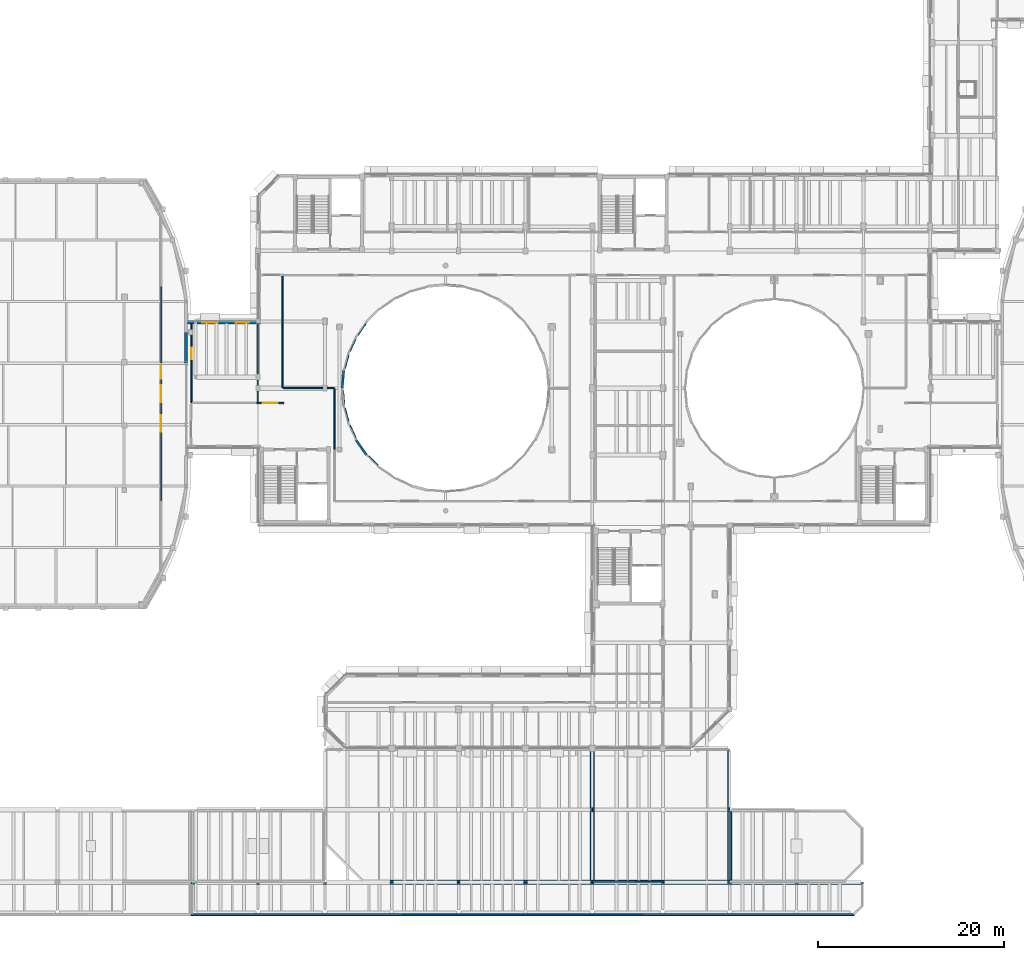
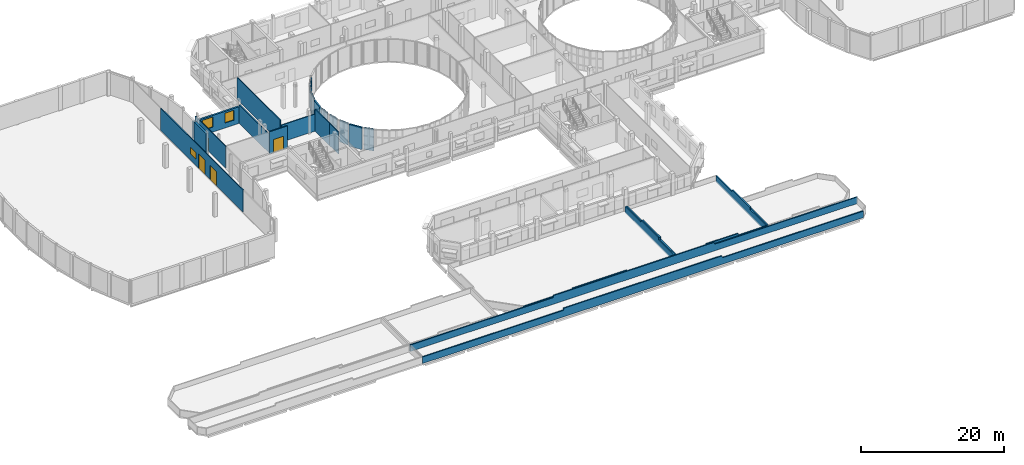
# One storey, part 76 of 105: 27 walls, 4 doors, 3 windows, 7 openings.
"""IFC4 building model written with IfcOpenShell, lengths in metres."""

from ifc_helpers import new_model, si_unit, direction, frame, frame_2d, origin, place, context, subcontext, project, spatial, polyline, rectangle, outline, extrude, material, layer, layer_set, type_object, element, fill, save


model = new_model("IFC4")

# Units and contexts
model_context = context("Model", 3, precision=1e-05, world=origin(), true_north=direction((0.0, 1.0)))
body_context = subcontext(model_context, "Body", "Model", "MODEL_VIEW")
ifc_project = project(units=[si_unit("LENGTHUNIT", "METRE"), si_unit("AREAUNIT", "SQUARE_METRE"), si_unit("VOLUMEUNIT", "CUBIC_METRE"), si_unit("PLANEANGLEUNIT", "RADIAN"), si_unit("MASSUNIT", "GRAM", prefix="KILO")], contexts=[model_context])

# Site, building, storey
site_placement = place(None, origin())
site = spatial("IfcSite", under=ifc_project, at=site_placement, CompositionType="ELEMENT")
building_placement = place(site_placement, origin())
building = spatial("IfcBuilding", under=site, at=building_placement, Name="Kelanivale Promenade Academy", CompositionType="ELEMENT")
storey_placement = place(building_placement, frame((0.0, 0.0, 4.199951171875)))
storey = spatial("IfcBuildingStorey", under=building, at=storey_placement, Name="L01", CompositionType="ELEMENT", Elevation=4.199951171875)

# Wall
ifc_material_1 = material(Name="Insulated terracotta-clad masonry wall 300 mm", Category="masonry")
ifc_layer_1 = layer(ifc_material_1, 0.300048828125)
ifc_layer_set_1 = layer_set([ifc_layer_1], Name="Insulated terracotta-clad masonry wall 300 mm")
wall_type_1 = type_object("IfcWallType", Name="EW-01 Wall 300mm", PredefinedType="SOLIDWALL", material=ifc_layer_set_1)
wall_1_placement = place(storey_placement, frame((35.449951171875, 59.513916015625, 0.0), z_axis=(0.0, 0.0, 1.0), x_axis=(0.0, 1.0, 0.0)))
element("IfcWall", 1, at=wall_1_placement, inside=storey, type_object=wall_type_1, Name="Sports Hall Crescent Pavilion inner crescent wall L01", PredefinedType="SOLIDWALL", context=body_context, shape_type="SweptSolid", body=[
    extrude(rectangle(XDim=3.315185546875, YDim=0.300048828125, at=frame_2d((1.65771484375, 0.0))), origin(), (0.0, 0.0, 1.0), 3.47998046875),
])

# Wall, openings, windows
ifc_material_2 = material(Name="Insulated ivory stucco masonry wall 280 mm", Category="masonry")
ifc_layer_2 = layer(ifc_material_2, 0.280029296875)
ifc_layer_set_2 = layer_set([ifc_layer_2], Name="Insulated ivory stucco masonry wall 280 mm")
wall_type_2 = type_object("IfcWallType", Name="EW-02 Wall 280mm", PredefinedType="SOLIDWALL", material=ifc_layer_set_2)
wall_2_placement = place(storey_placement, frame((43.47998046875, 63.860107421875, 0.0), z_axis=(0.0, 0.0, 1.0), x_axis=(-1.0, 0.0, 0.0)))
wall_2 = element("IfcWall", 2, at=wall_2_placement, inside=storey, type_object=wall_type_2, Name="L01 exterior facade wall EW-L01-ORT-0387", PredefinedType="SOLIDWALL", context=body_context, shape_type="SweptSolid", body=[
    extrude(rectangle(XDim=7.8798828125, YDim=0.280029296875, at=frame_2d((3.93994140625, 0.0))), origin(), (0.0, 0.0, 1.0), 2.860107421875),
])
opening_1_placement = place(wall_2_placement, frame((1.2451171875, 0.0, 0.85009765625)))
opening_1 = element("IfcOpeningElement", 3, at=opening_1_placement, cuts=wall_2, Name="Opening WT-24", PredefinedType="OPENING", context=body_context, shape_type="SweptSolid", body=[
    extrude(rectangle(XDim=1.449951171875, YDim=1.699951171875, at=frame_2d((0.72509765625, 0.85009765625))), frame((0.0, 0.14990234375, 0.0), z_axis=(0.0, -1.0, 0.0), x_axis=(1.0, 0.0, 0.0)), (0.0, 0.0, 1.0), 0.300048828125),
])
opening_2_placement = place(wall_2_placement, frame((4.610107421875, 0.0, 0.85009765625)))
opening_2 = element("IfcOpeningElement", 4, at=opening_2_placement, cuts=wall_2, Name="Opening WT-25", PredefinedType="OPENING", context=body_context, shape_type="SweptSolid", body=[
    extrude(rectangle(XDim=1.699951171875, YDim=1.75, at=frame_2d((0.85009765625, 0.875))), frame((0.0, 0.14990234375, 0.0), z_axis=(0.0, -1.0, 0.0), x_axis=(1.0, 0.0, 0.0)), (0.0, 0.0, 1.0), 0.300048828125),
])
ifc_material_3 = material(Name="Bronze anodised aluminium frame with low-E laminated glass", Category="aluminium")
window_type_1 = type_object("IfcWindowType", Name="WT-24 Window 1450x1700", PartitioningType="SINGLE_PANEL", PredefinedType="WINDOW", material=ifc_material_3)
window_1_placement = place(opening_1_placement, origin())
window_1 = element("IfcWindow", 5, at=window_1_placement, inside=storey, type_object=window_type_1, Name="Window WT-24", OverallHeight=1.699951171875, OverallWidth=1.449951171875, PartitioningType="SINGLE_PANEL", PredefinedType="WINDOW", context=body_context, shape_type="SweptSolid", body=[
    extrude(rectangle(XDim=1.449951171875, YDim=1.699951171875, at=frame_2d((0.72509765625, 0.85009765625))), frame((0.0, 0.030029296875, 0.0), z_axis=(0.0, -1.0, 0.0), x_axis=(1.0, 0.0, 0.0)), (0.0, 0.0, 1.0), 0.06005859375),
])
fill(opening_1, window_1)
window_type_2 = type_object("IfcWindowType", Name="WT-25 Window 1700x1750", PartitioningType="SINGLE_PANEL", PredefinedType="WINDOW", material=ifc_material_3)
window_2_placement = place(opening_2_placement, origin())
window_2 = element("IfcWindow", 6, at=window_2_placement, inside=storey, type_object=window_type_2, Name="Window WT-25", OverallHeight=1.75, OverallWidth=1.699951171875, PartitioningType="SINGLE_PANEL", PredefinedType="WINDOW", context=body_context, shape_type="SweptSolid", body=[
    extrude(rectangle(XDim=1.699951171875, YDim=1.75, at=frame_2d((0.85009765625, 0.875))), frame((0.0, 0.030029296875, 0.0), z_axis=(0.0, -1.0, 0.0), x_axis=(1.0, 0.0, 0.0)), (0.0, 0.0, 1.0), 0.06005859375),
])
fill(opening_2, window_2)

# Walls
ifc_material_4 = material(Name="Insulated courtyard stucco masonry wall 240 mm", Category="masonry")
ifc_layer_3 = layer(ifc_material_4, 0.239990234375)
ifc_layer_set_3 = layer_set([ifc_layer_3], Name="Insulated courtyard stucco masonry wall 240 mm")
wall_type_3 = type_object("IfcWallType", Name="EW-04 Wall 240mm", PredefinedType="SOLIDWALL", material=ifc_layer_set_3)
wall_3_placement = place(storey_placement, frame((52.429931640625, 58.7470703125, 0.0), z_axis=(0.0, 0.0, 1.0), x_axis=(-0.086865228015, -0.996220072154, 0.0)))
element("IfcWall", 7, at=wall_3_placement, inside=storey, type_object=wall_type_3, Name="L01 round courtyard stucco wall", PredefinedType="SOLIDWALL", context=body_context, shape_type="SweptSolid", body=[
    extrude(rectangle(XDim=1.96728515625, YDim=0.239990234375, at=frame_2d((0.983642578125, 0.0))), origin(), (0.0, 0.0, 1.0), 3.780029296875),
])
wall_4_placement = place(storey_placement, frame((53.7451171875, 51.239990234375, 0.0), z_axis=(0.0, 0.0, 1.0), x_axis=(0.573520663092, -0.819191094316, 0.0)))
element("IfcWall", 8, at=wall_4_placement, inside=storey, type_object=wall_type_3, Name="L01 round courtyard stucco wall", PredefinedType="SOLIDWALL", context=body_context, shape_type="SweptSolid", body=[
    extrude(rectangle(XDim=1.966796875, YDim=0.239990234375, at=frame_2d((0.9833984375, 0.0))), origin(), (0.0, 0.0, 1.0), 3.780029296875),
])

# Wall, opening, door
ifc_material_5 = material(Name="Autoclaved masonry blockwork 180 mm", Category="masonry")
ifc_layer_4 = layer(ifc_material_5, 0.179931640625)
ifc_layer_set_4 = layer_set([ifc_layer_4], Name="Autoclaved masonry blockwork 180 mm")
wall_type_4 = type_object("IfcWallType", Name="IW-02 Wall 180mm", PredefinedType="PARTITIONING", material=ifc_layer_set_4)
wall_5_placement = place(storey_placement, frame((43.050048828125, 55.199951171875, 0.0), z_axis=(0.0, 0.0, 1.0), x_axis=(1.0, 0.0, 0.0)))
wall_5 = element("IfcWall", 9, at=wall_5_placement, inside=storey, type_object=wall_type_4, Name="L01 cross-corridor fire wall", PredefinedType="PARTITIONING", context=body_context, shape_type="SweptSolid", body=[
    extrude(rectangle(XDim=2.89697265625, YDim=0.179931640625, at=frame_2d((1.448486328125, 0.0))), origin(), (0.0, 0.0, 1.0), 3.780029296875),
])
opening_3_placement = place(wall_5_placement, frame((0.64892578125, 0.0, 0.0)))
opening_3 = element("IfcOpeningElement", 10, at=opening_3_placement, cuts=wall_5, Name="Opening FD-L01-CC-057", PredefinedType="OPENING", context=body_context, shape_type="SweptSolid", body=[
    extrude(rectangle(XDim=1.60009765625, YDim=2.25, at=frame_2d((0.800048828125, 1.125))), frame((0.0, 0.10009765625, 0.0), z_axis=(0.0, -1.0, 0.0), x_axis=(1.0, 0.0, 0.0)), (0.0, 0.0, 1.0), 0.199951171875),
])
ifc_material_6 = material(Name="Fire-rated steel-core teak veneer", Category="steel")
door_type_1 = type_object("IfcDoorType", Name="DT-F09 Door 1600x2250", OperationType="NOTDEFINED", PredefinedType="DOOR", material=ifc_material_6)
door_1_placement = place(opening_3_placement, origin())
door_1 = element("IfcDoor", 11, at=door_1_placement, inside=storey, type_object=door_type_1, Name="L01 cross-corridor fire door FD-L01-CC-057", OperationType="DOUBLE_DOOR_SINGLE_SWING", OverallHeight=2.25, OverallWidth=1.60009765625, PredefinedType="DOOR", context=body_context, shape_type="SweptSolid", body=[
    extrude(rectangle(XDim=1.60009765625, YDim=2.25, at=frame_2d((0.800048828125, 1.125))), frame((0.0, 0.02490234375, 0.0), z_axis=(0.0, -1.0, 0.0), x_axis=(1.0, 0.0, 0.0)), (0.0, 0.0, 1.0), 0.050048828125),
])
fill(opening_3, door_1)

# Wall, openings, doors, window
ifc_material_7 = material(Name="Acoustic double-stud gypsum board partition 140 mm", Category="masonry")
ifc_layer_5 = layer(ifc_material_7, 0.139892578125)
ifc_layer_set_5 = layer_set([ifc_layer_5], Name="Acoustic double-stud gypsum board partition 140 mm")
wall_type_5 = type_object("IfcWallType", Name="IW-04 Wall 140mm", PredefinedType="PARTITIONING", material=ifc_layer_set_5)
wall_6_placement = place(storey_placement, frame((32.77001953125, 44.6298828125, 0.0), z_axis=(0.0, 0.0, 1.0), x_axis=(0.0, 1.0, 0.0)))
wall_6 = element("IfcWall", 12, at=wall_6_placement, inside=storey, type_object=wall_type_5, Name="L01 partition Multi-Purpose Sports Hall", PredefinedType="PARTITIONING", context=body_context, shape_type="SweptSolid", body=[
    extrude(rectangle(XDim=23.14013671875, YDim=0.139892578125, at=frame_2d((11.570068359375, 0.0))), origin(), (0.0, 0.0, 1.0), 3.780029296875),
])
opening_4_placement = place(wall_6_placement, frame((10.669921875, 0.0, 0.0)))
opening_4 = element("IfcOpeningElement", 13, at=opening_4_placement, cuts=wall_6, Name="Opening ID-L01-067", PredefinedType="OPENING", context=body_context, shape_type="SweptSolid", body=[
    extrude(rectangle(XDim=1.800048828125, YDim=2.449951171875, at=frame_2d((0.89990234375, 1.22509765625))), frame((0.0, 0.080078125, 0.0), z_axis=(0.0, -1.0, 0.0), x_axis=(1.0, 0.0, 0.0)), (0.0, 0.0, 1.0), 0.159912109375),
])
opening_5_placement = place(wall_6_placement, frame((7.468994140625, 0.0, 0.0)))
opening_5 = element("IfcOpeningElement", 14, at=opening_5_placement, cuts=wall_6, Name="Opening ID-L01-068", PredefinedType="OPENING", context=body_context, shape_type="SweptSolid", body=[
    extrude(rectangle(XDim=1.800048828125, YDim=2.449951171875, at=frame_2d((0.89990234375, 1.22509765625))), frame((0.0, 0.080078125, 0.0), z_axis=(0.0, -1.0, 0.0), x_axis=(1.0, 0.0, 0.0)), (0.0, 0.0, 1.0), 0.159912109375),
])
opening_6_placement = place(wall_6_placement, frame((13.169921875, 0.0, 1.050048828125)))
opening_6 = element("IfcOpeningElement", 15, at=opening_6_placement, cuts=wall_6, Name="Opening WT-I01", PredefinedType="OPENING", context=body_context, shape_type="SweptSolid", body=[
    extrude(rectangle(XDim=1.60009765625, YDim=1.10009765625, at=frame_2d((0.800048828125, 0.550048828125))), frame((0.0, 0.080078125, 0.0), z_axis=(0.0, -1.0, 0.0), x_axis=(1.0, 0.0, 0.0)), (0.0, 0.0, 1.0), 0.159912109375),
])
ifc_material_8 = material(Name="Solid-core tropical teak timber", Category="wood")
door_type_2 = type_object("IfcDoorType", Name="DT-I09 Door 1800x2450", OperationType="NOTDEFINED", PredefinedType="DOOR", material=ifc_material_8)
door_2_placement = place(opening_4_placement, frame((1.800048828125, 0.0, 0.0), z_axis=(0.0, 0.0, 1.0), x_axis=(-1.0, 0.0, 0.0)))
door_2 = element("IfcDoor", 16, at=door_2_placement, inside=storey, type_object=door_type_2, Name="Multi-Purpose Sports Hall door ID-L01-067", OperationType="DOUBLE_DOOR_SINGLE_SWING", OverallHeight=2.449951171875, OverallWidth=1.800048828125, PredefinedType="DOOR", context=body_context, shape_type="SweptSolid", body=[
    extrude(rectangle(XDim=1.800048828125, YDim=2.449951171875, at=frame_2d((0.89990234375, 1.22509765625))), frame((0.0, 0.02490234375, 0.0), z_axis=(0.0, -1.0, 0.0), x_axis=(1.0, 0.0, 0.0)), (0.0, 0.0, 1.0), 0.050048828125),
])
fill(opening_4, door_2)
door_3_placement = place(opening_5_placement, frame((1.800048828125, 0.0, 0.0), z_axis=(0.0, 0.0, 1.0), x_axis=(-1.0, 0.0, 0.0)))
door_3 = element("IfcDoor", 17, at=door_3_placement, inside=storey, type_object=door_type_2, Name="Multi-Purpose Sports Hall secondary door ID-L01-068", OperationType="DOUBLE_DOOR_SINGLE_SWING", OverallHeight=2.449951171875, OverallWidth=1.800048828125, PredefinedType="DOOR", context=body_context, shape_type="SweptSolid", body=[
    extrude(rectangle(XDim=1.800048828125, YDim=2.449951171875, at=frame_2d((0.89990234375, 1.22509765625))), frame((0.0, 0.02490234375, 0.0), z_axis=(0.0, -1.0, 0.0), x_axis=(1.0, 0.0, 0.0)), (0.0, 0.0, 1.0), 0.050048828125),
])
fill(opening_5, door_3)
window_type_3 = type_object("IfcWindowType", Name="WT-I01 Window 1600x1100", PartitioningType="SINGLE_PANEL", PredefinedType="WINDOW", material=ifc_material_3)
window_3_placement = place(opening_6_placement, origin())
window_3 = element("IfcWindow", 18, at=window_3_placement, inside=storey, type_object=window_type_3, Name="Interior observation window WT-I01", OverallHeight=1.10009765625, OverallWidth=1.60009765625, PartitioningType="SINGLE_PANEL", PredefinedType="WINDOW", context=body_context, shape_type="SweptSolid", body=[
    extrude(rectangle(XDim=1.60009765625, YDim=1.10009765625, at=frame_2d((0.800048828125, 0.550048828125))), frame((0.0, 0.030029296875, 0.0), z_axis=(0.0, -1.0, 0.0), x_axis=(1.0, 0.0, 0.0)), (0.0, 0.0, 1.0), 0.06005859375),
])
fill(opening_6, window_3)

# Wall, opening, door
wall_7_placement = place(storey_placement, frame((36.030029296875, 63.721923828125, 0.0), z_axis=(0.0, 0.0, 1.0), x_axis=(0.0, -1.0, 0.0)))
wall_7 = element("IfcWall", 19, at=wall_7_placement, inside=storey, type_object=wall_type_5, Name="L01 partition Referee and Coaching Room", PredefinedType="PARTITIONING", context=body_context, shape_type="SweptSolid", body=[
    extrude(rectangle(XDim=8.491943359375, YDim=0.139892578125, at=frame_2d((4.24609375, 0.0))), origin(), (0.0, 0.0, 1.0), 3.760009765625),
])
opening_7_placement = place(wall_7_placement, frame((2.534912109375, 0.0, 0.0)))
opening_7 = element("IfcOpeningElement", 20, at=opening_7_placement, cuts=wall_7, Name="Opening ID-L01-069", PredefinedType="OPENING", context=body_context, shape_type="SweptSolid", body=[
    extrude(rectangle(XDim=1.25, YDim=2.219970703125, at=frame_2d((0.625, 1.10986328125))), frame((0.0, 0.080078125, 0.0), z_axis=(0.0, -1.0, 0.0), x_axis=(1.0, 0.0, 0.0)), (0.0, 0.0, 1.0), 0.159912109375),
])
door_type_3 = type_object("IfcDoorType", Name="DT-I19 Door 1250x2220", OperationType="NOTDEFINED", PredefinedType="DOOR", material=ifc_material_8)
door_4_placement = place(opening_7_placement, origin())
door_4 = element("IfcDoor", 21, at=door_4_placement, inside=storey, type_object=door_type_3, Name="Referee and Coaching Room door ID-L01-069", OperationType="SINGLE_SWING_RIGHT", OverallHeight=2.219970703125, OverallWidth=1.25, PredefinedType="DOOR", context=body_context, shape_type="SweptSolid", body=[
    extrude(rectangle(XDim=1.25, YDim=2.219970703125, at=frame_2d((0.625, 1.10986328125))), frame((0.0, 0.02490234375, 0.0), z_axis=(0.0, -1.0, 0.0), x_axis=(1.0, 0.0, 0.0)), (0.0, 0.0, 1.0), 0.050048828125),
])
fill(opening_7, door_4)

# Walls
wall_8_placement = place(storey_placement, frame((43.169921875, 55.298095703125, 0.0), z_axis=(0.0, 0.0, 1.0), x_axis=(0.0, 1.0, 0.0)))
element("IfcWall", 22, at=wall_8_placement, inside=storey, type_object=wall_type_5, Name="L01 partition Referee and Coaching Room", PredefinedType="PARTITIONING", context=body_context, shape_type="SweptSolid", body=[
    extrude(rectangle(XDim=8.423828125, YDim=0.139892578125, at=frame_2d((4.2119140625, 0.0))), origin(), (0.0, 0.0, 1.0), 3.175048828125),
])
wall_9_placement = place(storey_placement, frame((56.10107421875, 48.5029296875, 0.0), z_axis=(0.0, 0.0, 1.0), x_axis=(-0.707106781187, 0.707106781187, 0.0)))
element("IfcWall", 23, at=wall_9_placement, inside=storey, type_object=wall_type_5, Name="L01 partition Junior Classroom West A", PredefinedType="PARTITIONING", context=body_context, shape_type="SweptSolid", body=[
    extrude(rectangle(XDim=1.411376953125, YDim=0.139892578125, at=frame_2d((0.70556640625, 0.0))), origin(), (0.0, 0.0, 1.0), 3.775146484375),
])
wall_10_placement = place(storey_placement, frame((53.7041015625, 51.4990234375, 0.0), z_axis=(0.0, 0.0, 1.0), x_axis=(-0.423348930736, 0.905966711775, 0.0)))
element("IfcWall", 24, at=wall_10_placement, inside=storey, type_object=wall_type_5, Name="L01 partition Junior Classroom West A", PredefinedType="PARTITIONING", context=body_context, shape_type="SweptSolid", body=[
    extrude(rectangle(XDim=1.412841796875, YDim=0.139892578125, at=frame_2d((0.70654296875, 0.0))), origin(), (0.0, 0.0, 1.0), 3.775146484375),
])
wall_11_placement = place(storey_placement, frame((52.929931640625, 53.263916015625, 0.0), z_axis=(0.0, 0.0, 1.0), x_axis=(-0.258491202719, 0.966013611766, 0.0)))
element("IfcWall", 25, at=wall_11_placement, inside=storey, type_object=wall_type_5, Name="L01 partition Junior Classroom West A", PredefinedType="PARTITIONING", context=body_context, shape_type="SweptSolid", body=[
    extrude(rectangle(XDim=1.412109375, YDim=0.139892578125, at=frame_2d((0.7060546875, 0.0))), origin(), (0.0, 0.0, 1.0), 3.775146484375),
])
wall_12_placement = place(storey_placement, frame((52.47509765625, 55.135009765625, 0.0), z_axis=(0.0, 0.0, 1.0), x_axis=(-0.086916960031, 0.996215560037, 0.0)))
element("IfcWall", 26, at=wall_12_placement, inside=storey, type_object=wall_type_5, Name="L01 partition Junior Classroom West A", PredefinedType="PARTITIONING", context=body_context, shape_type="SweptSolid", body=[
    extrude(rectangle(XDim=1.393310546875, YDim=0.139892578125, at=frame_2d((0.69677734375, 0.0))), origin(), (0.0, 0.0, 1.0), 3.775146484375),
])
wall_13_placement = place(storey_placement, frame((51.429931640625, 56.77001953125, 0.0), z_axis=(0.0, 0.0, 1.0), x_axis=(0.0, -1.0, 0.0)))
element("IfcWall", 27, at=wall_13_placement, inside=storey, type_object=wall_type_5, Name="L01 partition Junior Classroom West A", PredefinedType="PARTITIONING", context=body_context, shape_type="SweptSolid", body=[
    extrude(rectangle(XDim=4.0, YDim=0.139892578125, at=frame_2d((2.0, 0.0))), origin(), (0.0, 0.0, 1.0), 3.775146484375),
])
wall_14_placement = place(storey_placement, frame((51.429931640625, 52.77001953125, 0.0), z_axis=(0.0, 0.0, 1.0), x_axis=(0.0, -1.0, 0.0)))
element("IfcWall", 28, at=wall_14_placement, inside=storey, type_object=wall_type_5, Name="L01 partition Junior Classroom West A", PredefinedType="PARTITIONING", context=body_context, shape_type="SweptSolid", body=[
    extrude(rectangle(XDim=2.5400390625, YDim=0.139892578125, at=frame_2d((1.27001953125, 0.0))), origin(), (0.0, 0.0, 1.0), 3.775146484375),
])
wall_15_placement = place(storey_placement, frame((53.9609375, 62.547119140625, 0.0), z_axis=(0.0, 0.0, 1.0), x_axis=(0.57368253481, 0.819077743108, 0.0)))
element("IfcWall", 29, at=wall_15_placement, inside=storey, type_object=wall_type_5, Name="L01 partition Junior Classroom West B", PredefinedType="PARTITIONING", context=body_context, shape_type="SweptSolid", body=[
    extrude(rectangle(XDim=1.413818359375, YDim=0.139892578125, at=frame_2d((0.70703125, 0.0))), origin(), (0.0, 0.0, 1.0), 3.775146484375),
])
wall_16_placement = place(storey_placement, frame((45.830078125, 68.902099609375, 0.0), z_axis=(0.0, 0.0, 1.0), x_axis=(0.0, -1.0, 0.0)))
element("IfcWall", 30, at=wall_16_placement, inside=storey, type_object=wall_type_5, Name="L01 partition Junior Classroom West B", PredefinedType="PARTITIONING", context=body_context, shape_type="SweptSolid", body=[
    extrude(rectangle(XDim=12.072021484375, YDim=0.139892578125, at=frame_2d((6.0361328125, 0.0))), origin(), (0.0, 0.0, 1.0), 3.775146484375),
])
wall_17_placement = place(storey_placement, frame((45.89794921875, 56.830078125, 0.0), z_axis=(0.0, 0.0, 1.0), x_axis=(1.0, 0.0, 0.0)))
element("IfcWall", 31, at=wall_17_placement, inside=storey, type_object=wall_type_5, Name="L01 partition Junior Classroom West B", PredefinedType="PARTITIONING", context=body_context, shape_type="SweptSolid", body=[
    extrude(rectangle(XDim=5.531982421875, YDim=0.139892578125, at=frame_2d((2.76611328125, 0.0))), origin(), (0.0, 0.0, 1.0), 2.925048828125),
])
wall_18_placement = place(storey_placement, frame((52.56494140625, 58.971923828125, 0.0), z_axis=(0.0, 0.0, 1.0), x_axis=(0.258491202719, 0.966013611766, 0.0)))
element("IfcWall", 32, at=wall_18_placement, inside=storey, type_object=wall_type_5, Name="L01 partition Junior Classroom West B", PredefinedType="PARTITIONING", context=body_context, shape_type="SweptSolid", body=[
    extrude(rectangle(XDim=1.412109375, YDim=0.139892578125, at=frame_2d((0.7060546875, 0.0))), origin(), (0.0, 0.0, 1.0), 3.775146484375),
])
wall_19_placement = place(storey_placement, frame((53.10595703125, 60.821044921875, 0.0), z_axis=(0.0, 0.0, 1.0), x_axis=(0.423348930736, 0.905966711775, 0.0)))
element("IfcWall", 33, at=wall_19_placement, inside=storey, type_object=wall_type_5, Name="L01 partition Junior Classroom West B", PredefinedType="PARTITIONING", context=body_context, shape_type="SweptSolid", body=[
    extrude(rectangle(XDim=1.412841796875, YDim=0.139892578125, at=frame_2d((0.70654296875, 0.0))), origin(), (0.0, 0.0, 1.0), 3.775146484375),
])
ifc_material_9 = material(Name="Precast concrete C40/50", Category="concrete")
ifc_layer_6 = layer(ifc_material_9, 0.195068359375)
ifc_layer_set_6 = layer_set([ifc_layer_6], Name="Precast concrete C40/50")
wall_type_6 = type_object("IfcWallType", Name="PW-01 Wall 195mm", PredefinedType="PARAPET", material=ifc_layer_set_6)
wall_20_placement = place(storey_placement, frame((108.39990234375, 3.501953125, 0.0), z_axis=(0.0, 0.0, 1.0), x_axis=(-1.0, 0.0, 0.0)))
element("IfcWall", 34, at=wall_20_placement, inside=storey, type_object=wall_type_6, Name="L01 stepped Art Deco roof parapet", PredefinedType="PARAPET", context=body_context, shape_type="SweptSolid", body=[
    extrude(outline(polyline([(0.0, 0.0), (72.39892578125, 0.0), (72.39892578125, 1.1201171875), (49.23095703125, 1.1201171875), (49.180908203125, 1.4599609375), (23.218017578125, 1.4599609375), (23.16796875, 1.1201171875), (0.0, 1.1201171875), (0.0, 0.0)])), frame((0.0, 0.09765625, 0.0), z_axis=(0.0, -1.0, 0.0), x_axis=(1.0, 0.0, 0.0)), (0.0, 0.0, 1.0), 0.195068359375),
])
wall_21_placement = place(storey_placement, frame((36.0009765625, 0.097900390625, 0.0), z_axis=(0.0, 0.0, 1.0), x_axis=(1.0, 0.0, 0.0)))
element("IfcWall", 35, at=wall_21_placement, inside=storey, type_object=wall_type_6, Name="L01 stepped Art Deco roof parapet", PredefinedType="PARAPET", context=body_context, shape_type="SweptSolid", body=[
    extrude(outline(polyline([(0.0, 0.0), (71.388916015625, 0.0), (71.388916015625, 1.1201171875), (48.544921875, 1.1201171875), (48.4951171875, 1.4599609375), (22.89404296875, 1.4599609375), (22.843994140625, 1.1201171875), (0.0, 1.1201171875), (0.0, 0.0)])), frame((0.0, 0.09765625, 0.0), z_axis=(0.0, -1.0, 0.0), x_axis=(1.0, 0.0, 0.0)), (0.0, 0.0, 1.0), 0.195068359375),
])
wall_22_placement = place(storey_placement, frame((54.43408203125, 3.697998046875, 0.0), z_axis=(0.0, 0.0, 1.0), x_axis=(1.0, 0.0, 0.0)))
element("IfcWall", 36, at=wall_22_placement, inside=storey, type_object=wall_type_6, Name="L01 stepped Art Deco roof parapet", PredefinedType="PARAPET", context=body_context, shape_type="SweptSolid", body=[
    extrude(outline(polyline([(0.0, 0.0), (24.765869140625, 0.0), (24.76611328125, 1.1201171875), (16.841064453125, 1.1201171875), (16.791015625, 1.4599609375), (7.97509765625, 1.4599609375), (7.925048828125, 1.1201171875), (0.0, 1.1201171875), (0.0, 0.0)])), frame((0.0, 0.09765625, 0.0), z_axis=(0.0, -1.0, 0.0), x_axis=(1.0, 0.0, 0.0)), (0.0, 0.0, 1.0), 0.195068359375),
])
wall_23_placement = place(storey_placement, frame((79.10205078125, 3.7958984375, 0.0), z_axis=(0.0, 0.0, 1.0), x_axis=(0.0, 1.0, 0.0)))
element("IfcWall", 37, at=wall_23_placement, inside=storey, type_object=wall_type_6, Name="L01 stepped Art Deco roof parapet", PredefinedType="PARAPET", context=body_context, shape_type="SweptSolid", body=[
    extrude(outline(polyline([(0.0, 0.0), (13.884033203125, 0.0), (13.884033203125, 1.1201171875), (9.44091796875, 1.1201171875), (9.39111328125, 1.4599609375), (4.492919921875, 1.4599609375), (4.443115234375, 1.1201171875), (0.0, 1.1201171875), (0.0, 0.0)])), frame((0.0, 0.09765625, 0.0), z_axis=(0.0, -1.0, 0.0), x_axis=(1.0, 0.0, 0.0)), (0.0, 0.0, 1.0), 0.195068359375),
])
wall_24_placement = place(storey_placement, frame((93.902099609375, 3.7958984375, 0.0), z_axis=(0.0, 0.0, 1.0), x_axis=(0.0, 1.0, 0.0)))
element("IfcWall", 38, at=wall_24_placement, inside=storey, type_object=wall_type_6, Name="L01 stepped Art Deco roof parapet", PredefinedType="PARAPET", context=body_context, shape_type="SweptSolid", body=[
    extrude(outline(polyline([(0.0, 0.0), (14.009033203125, 0.0), (14.009033203125, 1.1201171875), (9.52587890625, 1.1201171875), (9.47607421875, 1.4599609375), (4.532958984375, 1.4599609375), (4.48291015625, 1.1201171875), (0.0, 1.1201171875), (0.0, 0.0)])), frame((0.0, 0.09765625, 0.0), z_axis=(0.0, -1.0, 0.0), x_axis=(1.0, 0.0, 0.0)), (0.0, 0.0, 1.0), 0.195068359375),
])
wall_25_placement = place(storey_placement, frame((79.298095703125, 17.679931640625, 0.0), z_axis=(0.0, 0.0, 1.0), x_axis=(0.0, -1.0, 0.0)))
element("IfcWall", 39, at=wall_25_placement, inside=storey, type_object=wall_type_6, Name="L01 stepped Art Deco roof parapet", PredefinedType="PARAPET", context=body_context, shape_type="SweptSolid", body=[
    extrude(outline(polyline([(0.0, 0.0), (13.884033203125, 0.0), (13.884033203125, 1.1201171875), (9.44091796875, 1.1201171875), (9.39111328125, 1.4599609375), (4.492919921875, 1.4599609375), (4.443115234375, 1.1201171875), (0.0, 1.1201171875), (0.0, 0.0)])), frame((0.0, 0.09765625, 0.0), z_axis=(0.0, -1.0, 0.0), x_axis=(1.0, 0.0, 0.0)), (0.0, 0.0, 1.0), 0.195068359375),
])
wall_26_placement = place(storey_placement, frame((79.200927734375, 3.697998046875, 0.0), z_axis=(0.0, 0.0, 1.0), x_axis=(1.0, 0.0, 0.0)))
element("IfcWall", 40, at=wall_26_placement, inside=storey, type_object=wall_type_6, Name="L01 stepped Art Deco roof parapet", PredefinedType="PARAPET", context=body_context, shape_type="SweptSolid", body=[
    extrude(outline(polyline([(0.0, 0.0), (14.798095703125, 0.0), (14.798095703125, 1.1201171875), (10.06298828125, 1.1201171875), (10.012939453125, 1.4599609375), (4.784912109375, 1.4599609375), (4.735107421875, 1.1201171875), (0.0, 1.1201171875), (0.0, 0.0)])), frame((0.0, 0.09765625, 0.0), z_axis=(0.0, -1.0, 0.0), x_axis=(1.0, 0.0, 0.0)), (0.0, 0.0, 1.0), 0.195068359375),
])
wall_27_placement = place(storey_placement, frame((94.097900390625, 11.2041015625, 0.0), z_axis=(0.0, 0.0, 1.0), x_axis=(0.0, -1.0, 0.0)))
element("IfcWall", 41, at=wall_27_placement, inside=storey, type_object=wall_type_6, Name="L01 stepped Art Deco roof parapet", PredefinedType="PARAPET", context=body_context, shape_type="SweptSolid", body=[
    extrude(rectangle(XDim=7.408203125, YDim=0.195068359375, at=frame_2d((3.7041015625, 0.0))), origin(), (0.0, 0.0, 1.0), 1.1201171875),
])

save(model, "model.ifc")
